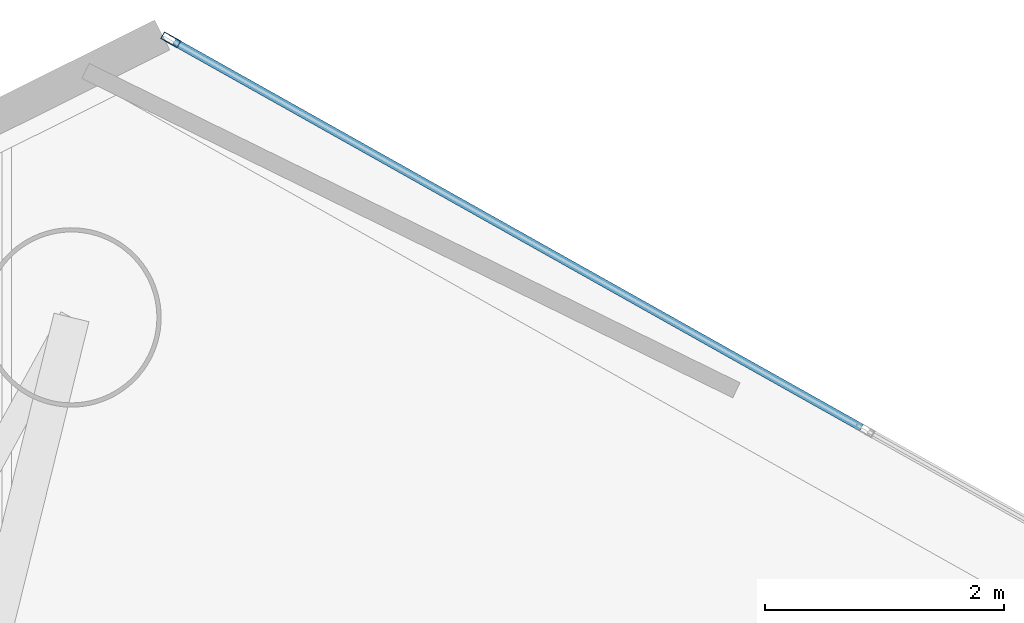
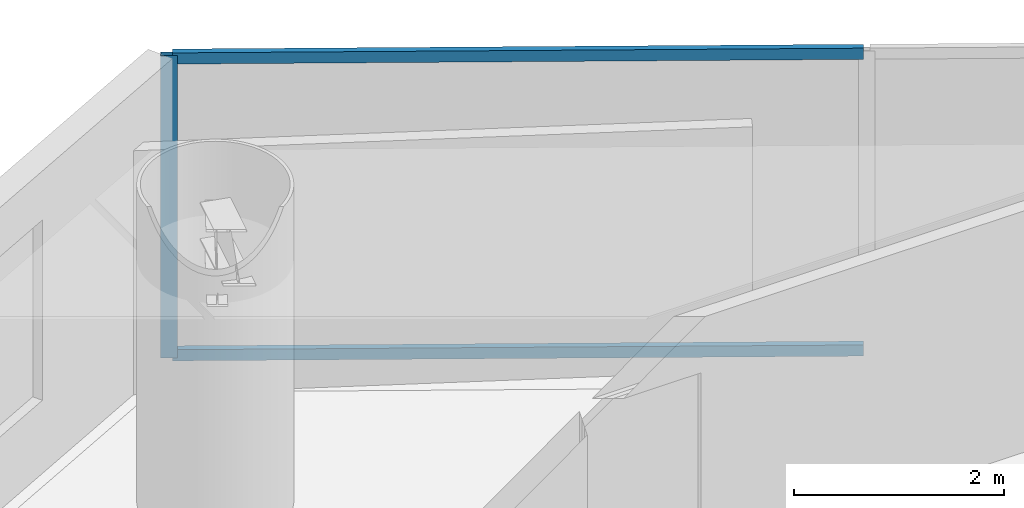
# One storey, part 13 of 19: 3 members, 1 element without a shape of its own.
"""IFC4 building model written with IfcOpenShell, lengths in metres."""

from ifc_helpers import new_model, si_unit, direction, frame, origin, origin_2d, place, context, subcontext, project, spatial, hollow_rectangle, extrude, material, layer, layer_set, material_profile, profile_set, type_object, element, aggregate, save


model = new_model("IFC4")

# Units and contexts
model_context = context("Model", 3, precision=1e-05, world=origin(), true_north=direction((0.0, 1.0)))
body_context = subcontext(model_context, "Body", "Model", "MODEL_VIEW")
ifc_project = project(units=[si_unit("LENGTHUNIT", "METRE"), si_unit("AREAUNIT", "SQUARE_METRE"), si_unit("VOLUMEUNIT", "CUBIC_METRE"), si_unit("PLANEANGLEUNIT", "RADIAN"), si_unit("MASSUNIT", "GRAM", prefix="KILO")], contexts=[model_context])

# Site, building, storey
site_placement = place(None, origin())
site = spatial("IfcSite", under=ifc_project, at=site_placement, CompositionType="ELEMENT")
building_placement = place(site_placement, origin())
building = spatial("IfcBuilding", under=site, at=building_placement, Name="Qianvela Tower", CompositionType="ELEMENT")
storey_placement = place(building_placement, frame((0.0, 0.0, 123.699951171875)))
storey = spatial("IfcBuildingStorey", under=building, at=storey_placement, Name="L31", CompositionType="ELEMENT", Elevation=123.699951171875)

# Curtain wall, members
ifc_material_1 = material(Name="Anodised Architectural Aluminium and Low-E Glass", Category="aluminium")
ifc_layer = layer(ifc_material_1, 0.169921875)
ifc_layer_set = layer_set([ifc_layer], Name="Anodised Architectural Aluminium and Low-E Glass")
curtain_wall_type = type_object("IfcCurtainWallType", Name="CW-COLIV-Z34", PredefinedType="USERDEFINED", material=ifc_layer_set)
curtain_wall_placement = place(storey_placement, origin())
curtain_wall = element("IfcCurtainWall", 1, at=curtain_wall_placement, inside=storey, type_object=curtain_wall_type, Name="L31 CW-COLIV-Z34 Curtain Wall 02C", ObjectType="CURTAIN_WALL_SYSTEM", PredefinedType="USERDEFINED")
ifc_material_2 = material(Name="Anodised Architectural Aluminium 6063-T6", Category="aluminium")
ifc_material_profile_1 = material_profile(ifc_material_2, hollow_rectangle(XDim=0.06494140625, YDim=0.159912109375, WallThickness=0.0048828125, at=origin_2d()), Name="ALU-MULL-65x160")
ifc_profile_set_1 = profile_set([ifc_material_profile_1], Name="Anodised Architectural Aluminium 6063-T6")
member_type_1 = type_object("IfcMemberType", Name="CW-COLIV-Z34-MULL", PredefinedType="MULLION", material=ifc_profile_set_1)
member_1_placement = place(storey_placement, frame((31.39453125, 43.841796875, 0.0), z_axis=(0.0, 0.0, 1.0), x_axis=(-0.489576251563, -0.87196048873, 0.0)))
member_1 = element("IfcMember", 2, at=member_1_placement, type_object=member_type_1, Name="CW-4 mullion 3", PredefinedType="MULLION", context=body_context, shape_type="SweptSolid", body=[
    extrude(hollow_rectangle(XDim=0.06494140625, YDim=0.159912109375, WallThickness=0.0048828125, at=origin_2d()), origin(), (0.0, 0.0, 1.0), 3.52001953125),
])
ifc_material_3 = material(Name="Anodised Architectural Aluminium 6063-T6", Category="aluminium")
ifc_material_profile_2 = material_profile(ifc_material_3, hollow_rectangle(XDim=0.06494140625, YDim=0.1298828125, WallThickness=0.00439453125, at=origin_2d()), Name="ALU-TRAN-65x130")
ifc_profile_set_2 = profile_set([ifc_material_profile_2], Name="Anodised Architectural Aluminium 6063-T6")
member_type_2 = type_object("IfcMemberType", Name="CW-COLIV-Z34-TRAN", PredefinedType="USERDEFINED", material=ifc_profile_set_2)
member_2_placement = place(storey_placement, frame((37.16845703125, 40.599853515625, 0.032470703125), z_axis=(-0.871960198315, 0.489576768807, 0.0), x_axis=(-0.489576768807, -0.871960198315, 0.0)))
member_2 = element("IfcMember", 3, at=member_2_placement, type_object=member_type_2, Name="CW-4 transom 2.1", ObjectType="TRANSOM", PredefinedType="USERDEFINED", context=body_context, shape_type="SweptSolid", body=[
    extrude(hollow_rectangle(XDim=0.06494140625, YDim=0.1298828125, WallThickness=0.00439453125, at=origin_2d()), origin(), (0.0, 0.0, 1.0), 6.589111328125),
])
member_3_placement = place(storey_placement, frame((37.16845703125, 40.599853515625, 3.487548828125), z_axis=(-0.871960198315, 0.489576768807, 0.0), x_axis=(-0.489576768807, -0.871960198315, 0.0)))
member_3 = element("IfcMember", 4, at=member_3_placement, type_object=member_type_2, Name="CW-4 transom 2.2", ObjectType="TRANSOM", PredefinedType="USERDEFINED", context=body_context, shape_type="SweptSolid", body=[
    extrude(hollow_rectangle(XDim=0.06494140625, YDim=0.1298828125, WallThickness=0.00439453125, at=origin_2d()), origin(), (0.0, 0.0, 1.0), 6.589111328125),
])
aggregate(curtain_wall, [member_1, member_2, member_3])

save(model, "model.ifc")
